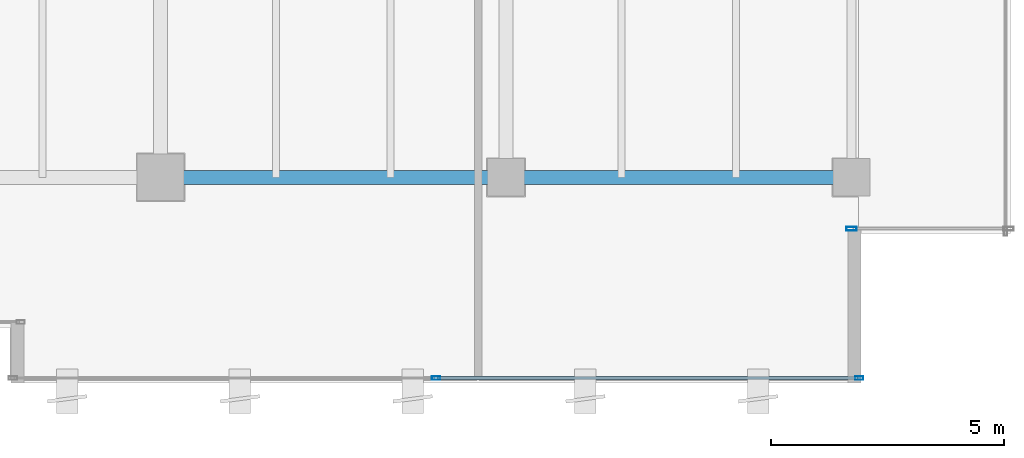
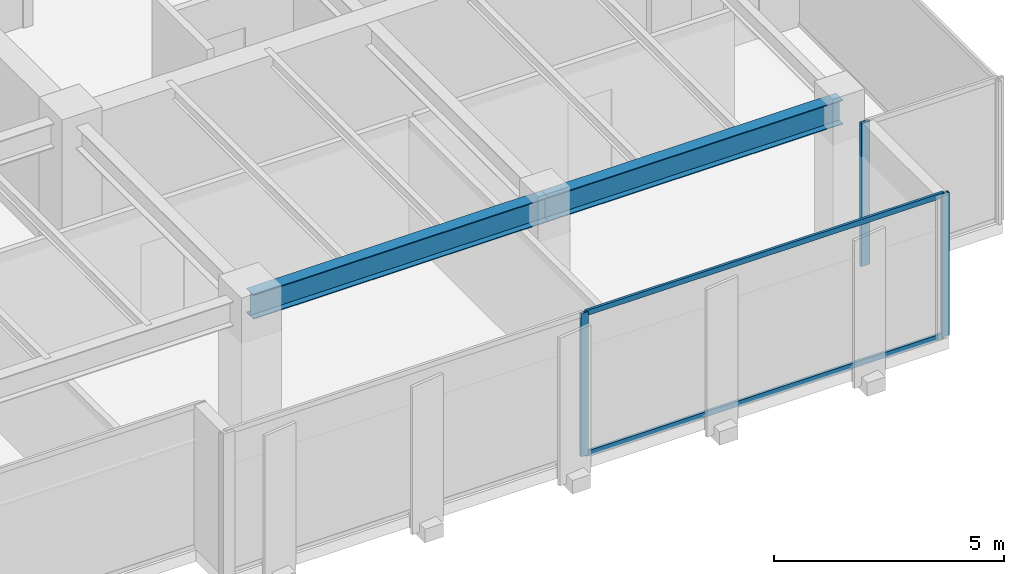
# One storey, part 13 of 36: 5 members, 2 beams, 2 elements without a shape of their own.
"""IFC4 building model written with IfcOpenShell, lengths in metres."""

from ifc_helpers import new_model, si_unit, direction, frame, origin, origin_2d, place, context, subcontext, project, spatial, hollow_rectangle, i_section, extrude, source, transform, mapped, material, layer, layer_set, material_profile, profile_set, type_object, type_shapes, element, aggregate, save


model = new_model("IFC4")

# Units and contexts
model_context = context("Model", 3, precision=1e-05, world=origin(), true_north=direction((0.0, 1.0)))
body_context = subcontext(model_context, "Body", "Model", "MODEL_VIEW")
ifc_project = project(units=[si_unit("LENGTHUNIT", "METRE"), si_unit("AREAUNIT", "SQUARE_METRE"), si_unit("VOLUMEUNIT", "CUBIC_METRE"), si_unit("PLANEANGLEUNIT", "RADIAN"), si_unit("MASSUNIT", "GRAM", prefix="KILO")], contexts=[model_context])

# Site, building, storey
site_placement = place(None, origin())
site = spatial("IfcSite", under=ifc_project, at=site_placement, CompositionType="ELEMENT")
building_placement = place(site_placement, origin())
building = spatial("IfcBuilding", under=site, at=building_placement, Name="Haelvirn Gate Laboratories", CompositionType="ELEMENT")
storey_placement = place(building_placement, frame((0.0, 0.0, 242.39990234375)))
storey = spatial("IfcBuildingStorey", under=building, at=storey_placement, Name="L58", CompositionType="ELEMENT", Elevation=242.39990234375)

# Beams
ifc_material_1 = material(Name="Steel SM355", Category="steel")
ifc_material_profile_1 = material_profile(ifc_material_1, i_section(OverallWidth=0.300048828125, OverallDepth=0.64990234375, WebThickness=0.012939453125, FlangeThickness=0.02197265625, at=origin_2d()), Name="H-650x300x13x22")
ifc_profile_set_1 = profile_set([ifc_material_profile_1], Name="Steel SM355")
beam_type = type_object("IfcBeamType", Name="BM-G-650", PredefinedType="BEAM", material=ifc_profile_set_1)
shared_shape_1 = source(origin(), body_context, "Body", "SweptSolid", [
    extrude(i_section(OverallWidth=0.300048828125, OverallDepth=0.64990234375, WebThickness=0.012939453125, FlangeThickness=0.02197265625, at=origin_2d()), origin(), (0.0, 0.0, 1.0), 7.39990234375),
])
type_shapes(beam_type, [shared_shape_1])
for number, where, z_axis, x_axis, name in (
    (1, (52.60009765625, 7.0, 3.47509765625), (1.0, 0.0, 0.0), (0.0, 1.0, 0.0), "L58 Primary Girder Y7.0 (52.6-60.0)"),
    (2, (60.0, 7.0, 3.47509765625), (1.0, 0.0, 0.0), (0.0, 1.0, 0.0), "L58 Primary Girder Y7.0 (60.0-67.4)"),
):
    element("IfcBeam", number, at=place(storey_placement, frame(where, z_axis=z_axis, x_axis=x_axis)), inside=storey, type_object=beam_type, Name=name, PredefinedType="BEAM", context=body_context, shape_type="MappedRepresentation", body=[
        mapped(shared_shape_1, transform((0.0, 0.0, 0.0), scale=1.0)),
    ])

# Curtain wall, members
ifc_material_2 = material(Name="Anodised bronze unitised aluminium & triple low-E glass", Category="aluminium")
ifc_layer_1 = layer(ifc_material_2, 0.176025390625, Name="CW-SYS-4")
ifc_layer_set_1 = layer_set([ifc_layer_1], Name="Anodised bronze unitised aluminium & triple low-E glass")
curtain_wall_type_1 = type_object("IfcCurtainWallType", Name="CW-SYS-4", PredefinedType="NOTDEFINED", material=ifc_layer_set_1)
curtain_wall_1_placement = place(storey_placement, origin())
curtain_wall_1 = element("IfcCurtainWall", 3, at=curtain_wall_1_placement, inside=storey, type_object=curtain_wall_type_1, Name="L58 Unitised Curtain Wall CW-L58-P0-E04-1", PredefinedType="NOTDEFINED")
ifc_material_3 = material(Name="Extruded aluminium 6063-T6 (anodised bronze)", Category="aluminium")
ifc_material_profile_2 = material_profile(ifc_material_3, hollow_rectangle(XDim=0.06494140625, YDim=0.139892578125, WallThickness=0.00390625, at=origin_2d()), Name="CWT-140x65x4")
ifc_profile_set_2 = profile_set([ifc_material_profile_2], Name="Extruded aluminium 6063-T6 (anodised bronze)")
member_type_1 = type_object("IfcMemberType", Name="CWT-T140", PredefinedType="USERDEFINED", material=ifc_profile_set_2)
shared_shape_2 = source(origin(), body_context, "Body", "SweptSolid", [
    extrude(hollow_rectangle(XDim=0.06494140625, YDim=0.139892578125, WallThickness=0.00390625, at=origin_2d()), origin(), (0.0, 0.0, 1.0), 8.9951171875),
])
type_shapes(member_type_1, [shared_shape_2])
member_1_placement = place(storey_placement, frame((58.534912109375, 2.699951171875, 0.03271484375), z_axis=(1.0, 0.0, 0.0), x_axis=(0.0, 1.0, 0.0)))
member_1 = element("IfcMember", 4, at=member_1_placement, type_object=member_type_1, Name="CW4 transom 2.1", ObjectType="TRANSOM", PredefinedType="USERDEFINED", context=body_context, shape_type="MappedRepresentation", body=[
    mapped(shared_shape_2, transform((0.0, 0.0, 0.0), scale=1.0)),
])
member_2_placement = place(storey_placement, frame((58.534912109375, 2.699951171875, 3.767578125), z_axis=(1.0, 0.0, 0.0), x_axis=(0.0, 1.0, 0.0)))
member_2 = element("IfcMember", 5, at=member_2_placement, type_object=member_type_1, Name="CW4 transom 2.2", ObjectType="TRANSOM", PredefinedType="USERDEFINED", context=body_context, shape_type="MappedRepresentation", body=[
    mapped(shared_shape_2, transform((0.0, 0.0, 0.0), scale=1.0)),
])
ifc_material_profile_3 = material_profile(ifc_material_3, hollow_rectangle(XDim=0.070068359375, YDim=0.179931640625, WallThickness=0.0048828125, at=origin_2d()), Name="CWM-180x70x5")
ifc_profile_set_3 = profile_set([ifc_material_profile_3], Name="Extruded aluminium 6063-T6 (anodised bronze)")
member_type_2 = type_object("IfcMemberType", Name="CWM-T180", PredefinedType="MULLION", material=ifc_profile_set_3)
shared_shape_3 = source(origin(), body_context, "Body", "SweptSolid", [
    extrude(hollow_rectangle(XDim=0.070068359375, YDim=0.179931640625, WallThickness=0.0048828125, at=origin_2d()), origin(), (0.0, 0.0, 1.0), 3.800048828125),
])
type_shapes(member_type_2, [shared_shape_3])
member_3_placement = place(storey_placement, frame((58.5, 2.699951171875, 0.0), z_axis=(0.0, 0.0, 1.0), x_axis=(0.0, 1.0, 0.0)))
member_3 = element("IfcMember", 6, at=member_3_placement, type_object=member_type_2, Name="CW4 mullion 2", PredefinedType="MULLION", context=body_context, shape_type="MappedRepresentation", body=[
    mapped(shared_shape_3, transform((0.0, 0.0, 0.0), scale=1.0)),
])
member_4_placement = place(storey_placement, frame((67.56494140625, 2.699951171875, 0.0), z_axis=(0.0, 0.0, 1.0), x_axis=(0.0, 1.0, 0.0)))
member_4 = element("IfcMember", 7, at=member_4_placement, type_object=member_type_2, Name="CW4 mullion 3", PredefinedType="MULLION", context=body_context, shape_type="MappedRepresentation", body=[
    mapped(shared_shape_3, transform((0.0, 0.0, 0.0), scale=1.0)),
])
aggregate(curtain_wall_1, [member_3, member_4, member_1, member_2])

# Curtain wall, member
ifc_layer_2 = layer(ifc_material_2, 0.181884765625, Name="CW-SYS-5")
ifc_layer_set_2 = layer_set([ifc_layer_2], Name="Anodised bronze unitised aluminium & triple low-E glass")
curtain_wall_type_2 = type_object("IfcCurtainWallType", Name="CW-SYS-5", PredefinedType="NOTDEFINED", material=ifc_layer_set_2)
curtain_wall_2_placement = place(storey_placement, origin())
curtain_wall_2 = element("IfcCurtainWall", 8, at=curtain_wall_2_placement, inside=storey, type_object=curtain_wall_type_2, Name="L58 Unitised Curtain Wall CW-L58-P0-E06-1", PredefinedType="NOTDEFINED")
ifc_material_profile_4 = material_profile(ifc_material_3, hollow_rectangle(XDim=0.080078125, YDim=0.219970703125, WallThickness=0.006103515625, at=origin_2d()), Name="CWM-220x80x6")
ifc_profile_set_4 = profile_set([ifc_material_profile_4], Name="Extruded aluminium 6063-T6 (anodised bronze)")
member_type_3 = type_object("IfcMemberType", Name="CWM-T220", PredefinedType="MULLION", material=ifc_profile_set_4)
shared_shape_4 = source(origin(), body_context, "Body", "SweptSolid", [
    extrude(hollow_rectangle(XDim=0.080078125, YDim=0.219970703125, WallThickness=0.006103515625, at=origin_2d()), origin(), (0.0, 0.0, 1.0), 3.800048828125),
])
type_shapes(member_type_3, [shared_shape_4])
member_5_placement = place(storey_placement, frame((67.39990234375, 5.89990234375, 0.0), z_axis=(0.0, 0.0, 1.0), x_axis=(0.0, 1.0, 0.0)))
member_5 = element("IfcMember", 9, at=member_5_placement, type_object=member_type_3, Name="CW5 mullion 1", PredefinedType="MULLION", context=body_context, shape_type="MappedRepresentation", body=[
    mapped(shared_shape_4, transform((0.0, 0.0, 0.0), scale=1.0)),
])
aggregate(curtain_wall_2, [member_5])

save(model, "model.ifc")
